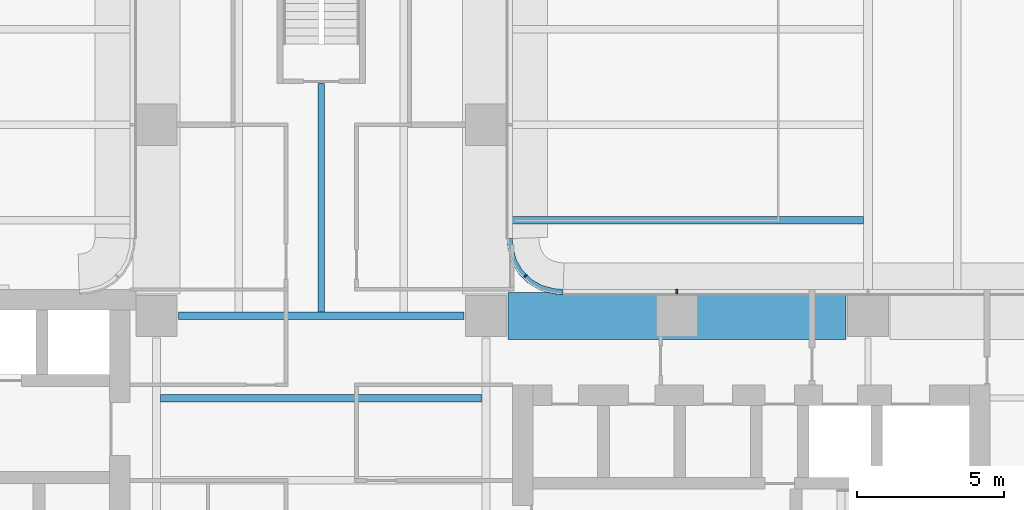
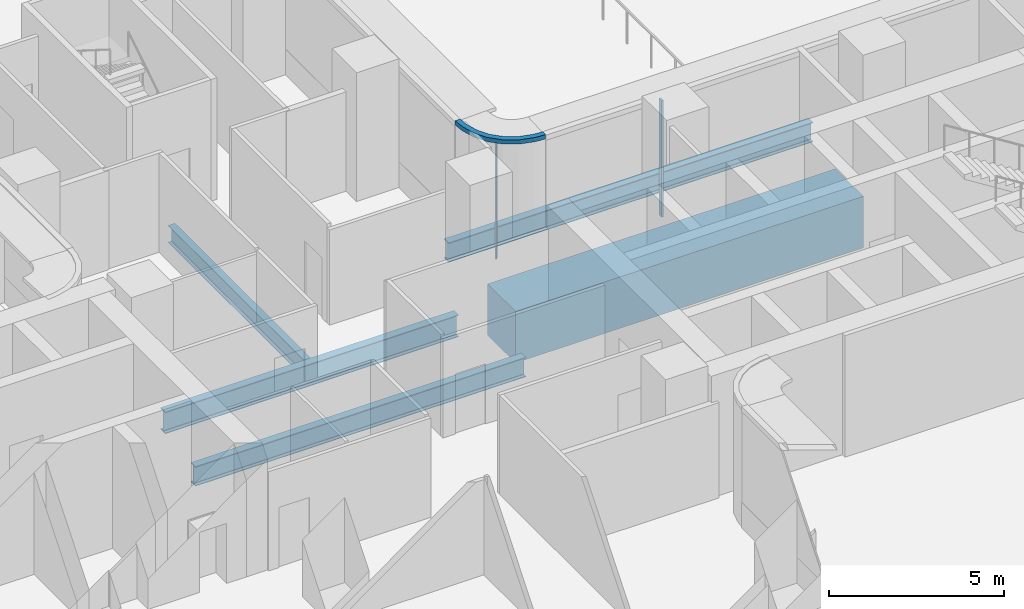
# One storey, part 13 of 29: 5 beams, 3 members, 2 elements without a shape of their own.
"""IFC4 building model written with IfcOpenShell, lengths in metres."""

from ifc_helpers import new_model, si_unit, direction, frame, origin, origin_2d, place, context, subcontext, project, spatial, polyline, rectangle, i_section, outline, extrude, source, transform, mapped, material, layer, layer_set, material_profile, profile_set, type_object, element, aggregate, save


model = new_model("IFC4")

# Units and contexts
model_context = context("Model", 3, precision=1e-05, world=origin(), true_north=direction((0.0, 1.0)))
body_context = subcontext(model_context, "Body", "Model", "MODEL_VIEW")
ifc_project = project(units=[si_unit("LENGTHUNIT", "METRE"), si_unit("AREAUNIT", "SQUARE_METRE"), si_unit("VOLUMEUNIT", "CUBIC_METRE"), si_unit("PLANEANGLEUNIT", "RADIAN"), si_unit("MASSUNIT", "GRAM", prefix="KILO")], contexts=[model_context])

# Site, building, storey
site_placement = place(None, origin())
site = spatial("IfcSite", under=ifc_project, at=site_placement, CompositionType="ELEMENT")
building_placement = place(site_placement, origin())
building = spatial("IfcBuilding", under=site, at=building_placement, Name="Trellis Farm Tower", CompositionType="ELEMENT")
storey_placement = place(building_placement, frame((0.0, 0.0, 34.0)))
storey = spatial("IfcBuildingStorey", under=building, at=storey_placement, Name="L06", CompositionType="ELEMENT", Elevation=34.0)

# Beams
ifc_material_1 = material(Name="Steel S355", Category="steel")
ifc_material_profile_1 = material_profile(ifc_material_1, i_section(OverallWidth=0.253662109375, OverallDepth=0.68359375, WebThickness=0.012451171875, FlangeThickness=0.021728515625, FilletRadius=0.01513671875, at=origin_2d()), Name="UB 686x254x140")
ifc_profile_set_1 = profile_set([ifc_material_profile_1], Name="Steel S355")
beam_type_1 = type_object("IfcBeamType", Name="UB 686x254x140 joist", PredefinedType="JOIST", material=ifc_profile_set_1)
shared_shape_1 = source(origin(), body_context, "Body", "SweptSolid", [
    extrude(i_section(OverallWidth=0.253662109375, OverallDepth=0.68359375, WebThickness=0.012451171875, FlangeThickness=0.021728515625, FilletRadius=0.01513671875, at=origin_2d()), origin(), (0.0, 0.0, 1.0), 10.93310546875),
])
beam_1_placement = place(storey_placement, frame((-5.466552734375, 2.800048828125, -0.691650390625), z_axis=(1.0, 0.0, 0.0), x_axis=(0.0, 1.0, 0.0)))
element("IfcBeam", 1, at=beam_1_placement, inside=storey, type_object=beam_type_1, Name="Floor beam", PredefinedType="JOIST", context=body_context, shape_type="MappedRepresentation", body=[
    mapped(shared_shape_1, transform((0.0, 0.0, 0.0))),
])
ifc_material_profile_2 = material_profile(ifc_material_1, i_section(OverallWidth=0.2275390625, OverallDepth=0.6025390625, WebThickness=0.010498046875, FlangeThickness=0.014892578125, FilletRadius=0.0126953125, at=origin_2d()), Name="UB 610x229x101")
ifc_profile_set_2 = profile_set([ifc_material_profile_2], Name="Steel S355")
beam_type_2 = type_object("IfcBeamType", Name="UB 610x229x101 joist", PredefinedType="JOIST", material=ifc_profile_set_2)
shared_shape_2 = source(origin(), body_context, "Body", "SweptSolid", [
    extrude(i_section(OverallWidth=0.2275390625, OverallDepth=0.6025390625, WebThickness=0.010498046875, FlangeThickness=0.014892578125, FilletRadius=0.0126953125, at=origin_2d()), origin(), (0.0, 0.0, 1.0), 7.7666015625),
])
beam_2_placement = place(storey_placement, frame((0.0, 5.7333984375, -0.6513671875), z_axis=(0.0, 1.0, 0.0), x_axis=(-1.0, 0.0, 0.0)))
element("IfcBeam", 2, at=beam_2_placement, inside=storey, type_object=beam_type_2, Name="Floor beam", PredefinedType="JOIST", context=body_context, shape_type="MappedRepresentation", body=[
    mapped(shared_shape_2, transform((0.0, 0.0, 0.0))),
])
ifc_material_profile_3 = material_profile(ifc_material_1, i_section(OverallWidth=0.2666015625, OverallDepth=0.76220703125, WebThickness=0.014404296875, FlangeThickness=0.021484375, FilletRadius=0.0166015625, at=origin_2d()), Name="UB 762x267x173")
ifc_profile_set_3 = profile_set([ifc_material_profile_3], Name="Steel S355")
beam_type_3 = type_object("IfcBeamType", Name="UB 762x267x173", PredefinedType="BEAM", material=ifc_profile_set_3)
shared_shape_3 = source(origin(), body_context, "Body", "SweptSolid", [
    extrude(i_section(OverallWidth=0.2666015625, OverallDepth=0.76220703125, WebThickness=0.014404296875, FlangeThickness=0.021484375, FilletRadius=0.0166015625, at=origin_2d()), origin(), (0.0, 0.0, 1.0), 9.7001953125),
])
beam_3_placement = place(storey_placement, frame((-4.85009765625, 5.60009765625, -0.731201171875), z_axis=(1.0, 0.0, 0.0), x_axis=(0.0, 1.0, 0.0)))
element("IfcBeam", 3, at=beam_3_placement, inside=storey, type_object=beam_type_3, Name="Girder", PredefinedType="BEAM", context=body_context, shape_type="MappedRepresentation", body=[
    mapped(shared_shape_3, transform((0.0, 0.0, 0.0))),
])
ifc_material_2 = material(Name="Concrete C80/95", Category="concrete")
ifc_material_profile_4 = material_profile(ifc_material_2, rectangle(XDim=1.60009765625, YDim=1.800048828125, at=origin_2d()), Name="RC transfer beam 1600x1800 C80/95")
ifc_profile_set_4 = profile_set([ifc_material_profile_4], Name="Concrete C80/95")
beam_type_4 = type_object("IfcBeamType", Name="RC transfer beam 1600x1800 C80/95", PredefinedType="BEAM", material=ifc_profile_set_4)
shared_shape_4 = source(origin(), body_context, "Body", "SweptSolid", [
    extrude(rectangle(XDim=1.60009765625, YDim=1.800048828125, at=origin_2d()), origin(), (0.0, 0.0, 1.0), 11.5),
])
beam_4_placement = place(storey_placement, frame((6.35009765625, 5.60009765625, -1.25), z_axis=(1.0, 0.0, 0.0), x_axis=(0.0, 1.0, 0.0)))
element("IfcBeam", 4, at=beam_4_placement, inside=storey, type_object=beam_type_4, Name="Transfer girder", PredefinedType="BEAM", context=body_context, shape_type="MappedRepresentation", body=[
    mapped(shared_shape_4, transform((0.0, 0.0, 0.0))),
])
shared_shape_5 = source(origin(), body_context, "Body", "SweptSolid", [
    extrude(i_section(OverallWidth=0.253662109375, OverallDepth=0.68359375, WebThickness=0.012451171875, FlangeThickness=0.021728515625, FilletRadius=0.01513671875, at=origin_2d()), origin(), (0.0, 0.0, 1.0), 12.04736328125),
])
beam_5_placement = place(storey_placement, frame((6.39990234375, 8.85009765625, -0.691650390625), z_axis=(1.0, 0.0, 0.0), x_axis=(0.0, 1.0, 0.0)))
element("IfcBeam", 5, at=beam_5_placement, inside=storey, type_object=beam_type_1, Name="Floor beam", PredefinedType="JOIST", context=body_context, shape_type="MappedRepresentation", body=[
    mapped(shared_shape_5, transform((0.0, 0.0, 0.0))),
])

# Curtain wall, member
ifc_material_3 = material(Name="Aluminium and glass curtain wall", Category="aluminium")
ifc_layer_1 = layer(ifc_material_3, 0.18994140625)
ifc_layer_set_1 = layer_set([ifc_layer_1], Name="RIBBON CURTAIN WALL CW1")
curtain_wall_type_1 = type_object("IfcCurtainWallType", Name="RIBBON CURTAIN WALL CW1", PredefinedType="NOTDEFINED", material=ifc_layer_set_1)
placement = place(storey_placement, origin())
curtain_wall_1 = element("IfcCurtainWall", 6, at=placement, inside=storey, type_object=curtain_wall_type_1, Name="CW1 009", PredefinedType="NOTDEFINED")
ifc_material_4 = material(Name="Aluminium extrusion 6063-T6", Category="aluminium")
ifc_material_profile_5 = material_profile(ifc_material_4, rectangle(XDim=0.06005859375, YDim=0.14990234375, at=origin_2d()), Name="MULLION 60x150")
ifc_profile_set_5 = profile_set([ifc_material_profile_5], Name="Aluminium extrusion 6063-T6")
member_type_1 = type_object("IfcMemberType", Name="CW1 MULLION 60x150", PredefinedType="MULLION", material=ifc_profile_set_5)
shared_shape_6 = source(origin(), body_context, "Body", "SweptSolid", [
    extrude(rectangle(XDim=0.06005859375, YDim=0.14990234375, at=origin_2d()), origin(), (0.0, 0.0, 1.0), 4.070068359375),
])
member_1_placement = place(storey_placement, frame((12.10009765625, 6.425048828125, 0.0), z_axis=(0.0, 0.0, 1.0), x_axis=(-1.0, 0.0, 0.0)))
member_1 = element("IfcMember", 7, at=member_1_placement, type_object=member_type_1, Name="MU1 009-03", PredefinedType="MULLION", context=body_context, shape_type="MappedRepresentation", body=[
    mapped(shared_shape_6, transform((0.0, 0.0, 0.0))),
])
aggregate(curtain_wall_1, [member_1])

# Curtain wall, members
ifc_layer_2 = layer(ifc_material_3, 0.166015625)
ifc_layer_set_2 = layer_set([ifc_layer_2], Name="WINTER GARDEN CURTAIN WALL CW3")
curtain_wall_type_2 = type_object("IfcCurtainWallType", Name="WINTER GARDEN CURTAIN WALL CW3", PredefinedType="NOTDEFINED", material=ifc_layer_set_2)
curtain_wall_2 = element("IfcCurtainWall", 8, at=placement, inside=storey, type_object=curtain_wall_type_2, Name="CW3 003", PredefinedType="NOTDEFINED")
ifc_material_profile_6 = material_profile(ifc_material_4, rectangle(XDim=0.050048828125, YDim=0.1201171875, at=origin_2d()), Name="MULLION 50x120")
ifc_profile_set_6 = profile_set([ifc_material_profile_6], Name="Aluminium extrusion 6063-T6")
member_type_2 = type_object("IfcMemberType", Name="CW3 MULLION 50x120", PredefinedType="MULLION", material=ifc_profile_set_6)
shared_shape_7 = source(origin(), body_context, "Body", "SweptSolid", [
    extrude(rectangle(XDim=0.050048828125, YDim=0.1201171875, at=origin_2d()), origin(), (0.0, 0.0, 1.0), 4.10009765625),
])
member_2_placement = place(storey_placement, frame((6.953125, 6.953125, 0.0), z_axis=(0.0, 0.0, 1.0), x_axis=(-0.707106781187, 0.707106781187, 0.0)))
member_2 = element("IfcMember", 9, at=member_2_placement, type_object=member_type_2, Name="MU3 003-01", PredefinedType="MULLION", context=body_context, shape_type="MappedRepresentation", body=[
    mapped(shared_shape_7, transform((0.0, 0.0, 0.0))),
])
ifc_layer_3 = layer(ifc_material_4, 0.169921875)
ifc_layer_set_3 = layer_set([ifc_layer_3], Name="Aluminium extrusion 6063-T6")
member_type_3 = type_object("IfcMemberType", Name="CW3 TRANSOM 170x150", PredefinedType="USERDEFINED", material=ifc_layer_set_3)
shared_shape_8 = source(origin(), body_context, "Body", "SweptSolid", [
    extrude(outline(polyline([(8.2314453125, 6.5), (8.01953125, 6.513916015625), (7.91552734375, 6.527587890625), (7.508544921875, 6.63671875), (7.144287109375, 6.846923828125), (6.846923828125, 7.144287109375), (6.63671875, 7.508544921875), (6.527587890625, 7.91552734375), (6.513916015625, 8.01953125), (6.5, 8.2314453125), (6.330078125, 8.225830078125), (6.3447265625, 8.0029296875), (6.360595703125, 7.88232421875), (6.478271484375, 7.44287109375), (6.7109375, 7.0400390625), (7.0400390625, 6.7109375), (7.44287109375, 6.478271484375), (7.88232421875, 6.360595703125), (8.0029296875, 6.3447265625), (8.225830078125, 6.330078125), (8.2314453125, 6.5)])), origin(), (0.0, 0.0, 1.0), 0.14990234375),
])
member_3_placement = place(storey_placement, frame((0.0, 0.0, 4.10009765625)))
member_3 = element("IfcMember", 10, at=member_3_placement, type_object=member_type_3, Name="TR3 003", ObjectType="TRANSOM", PredefinedType="USERDEFINED", context=body_context, shape_type="MappedRepresentation", body=[
    mapped(shared_shape_8, transform((0.0, 0.0, 0.0))),
])
aggregate(curtain_wall_2, [member_2, member_3])

save(model, "model.ifc")
